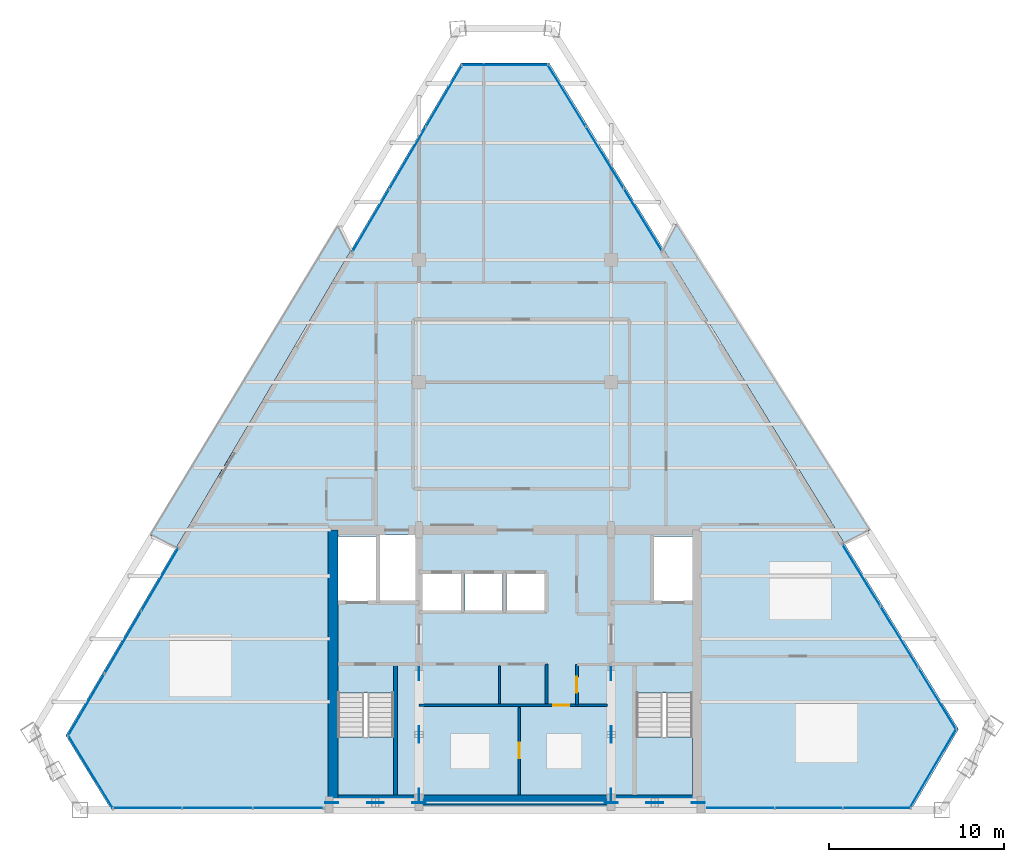
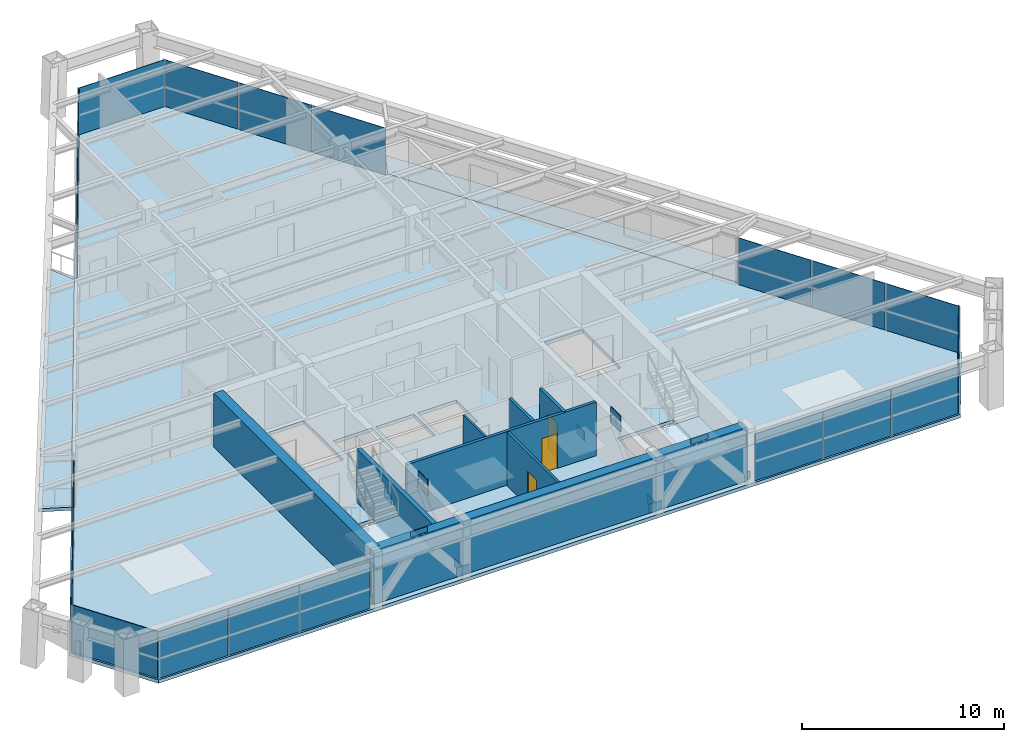
# One storey, part 8 of 13: 33 plates, 8 walls, 5 slabs, 3 doors, 3 openings, 11 elements without a shape of their own.
"""IFC4 building model written with IfcOpenShell, lengths in metres."""

from ifc_helpers import new_model, si_unit, direction, frame, frame_2d, origin, origin_2d, place, context, subcontext, project, spatial, polyline, rectangle, outline, extrude, source, transform, mapped, material, layer, layer_set, type_object, type_shapes, element, fill, aggregate, save


model = new_model("IFC4")

# Units and contexts
model_context = context("Model", 3, precision=1e-05, world=origin(), true_north=direction((0.0, 1.0)))
body_context = subcontext(model_context, "Body", "Model", "MODEL_VIEW")
ifc_project = project(units=[si_unit("LENGTHUNIT", "METRE"), si_unit("AREAUNIT", "SQUARE_METRE"), si_unit("VOLUMEUNIT", "CUBIC_METRE"), si_unit("PLANEANGLEUNIT", "RADIAN"), si_unit("MASSUNIT", "GRAM", prefix="KILO")], contexts=[model_context])

# Site, building, storey
site_placement = place(None, origin())
site = spatial("IfcSite", under=ifc_project, at=site_placement, CompositionType="ELEMENT")
building_placement = place(site_placement, origin())
building = spatial("IfcBuilding", under=site, at=building_placement, Name="Varnakhor Terracotta Tower", CompositionType="ELEMENT")
storey_placement = place(building_placement, frame((0.0, 0.0, 244.14990234375)))
storey = spatial("IfcBuildingStorey", under=building, at=storey_placement, Name="L63", CompositionType="ELEMENT", Elevation=244.14990234375)

# Slab
ifc_material_1 = material(Name="Concrete C40/50", Category="concrete")
ifc_layer_1 = layer(ifc_material_1, 0.2099609375, Name="Concrete C40/50")
ifc_layer_set_1 = layer_set([ifc_layer_1], Name="Concrete C40/50")
slab_type_1 = type_object("IfcSlabType", Name="SLB-HTL-210", PredefinedType="FLOOR", material=ifc_layer_set_1)
slab_1_placement = place(storey_placement, frame((0.0, 0.0, -0.2099609375)))
element("IfcSlab", 1, at=slab_1_placement, inside=storey, type_object=slab_type_1, Name="L63 Structural Floor Slab", PredefinedType="FLOOR", context=body_context, shape_type="SweptSolid", body=[
    extrude(outline(polyline([(-25.7265625, 4.2646484375), (-3.0908203125, 42.77099609375), (1.9501953125, 42.77099609375), (25.390869140625, 4.625732421875), (22.671630859375, 0.0), (-23.105712890625, 0.0), (-25.7265625, 4.2646484375)]), holes=[polyline([(-6.949951171875, 0.85009765625), (-6.949951171875, 6.695068359375), (-10.14990234375, 6.695068359375), (-10.14990234375, 0.85009765625), (-6.949951171875, 0.85009765625)]), polyline([(10.14990234375, 0.85009765625), (10.14990234375, 6.695068359375), (6.949951171875, 6.695068359375), (6.949951171875, 0.85009765625), (10.14990234375, 0.85009765625)]), polyline([(-3.10009765625, 11.419921875), (-3.10009765625, 13.52001953125), (-5.300048828125, 13.52001953125), (-5.300048828125, 11.419921875), (-3.10009765625, 11.419921875)]), polyline([(-0.719970703125, 11.419921875), (-0.719970703125, 13.52001953125), (-2.8798828125, 13.52001953125), (-2.8798828125, 11.419921875), (-0.719970703125, 11.419921875)]), polyline([(1.699951171875, 11.419921875), (1.699951171875, 13.52001953125), (-0.5, 13.52001953125), (-0.5, 11.419921875), (1.699951171875, 11.419921875)]), polyline([(-7.949951171875, 11.8798828125), (-7.949951171875, 15.64990234375), (-10.14990234375, 15.64990234375), (-10.14990234375, 11.8798828125), (-7.949951171875, 11.8798828125)]), polyline([(10.14990234375, 11.8798828125), (10.14990234375, 15.64990234375), (7.949951171875, 15.64990234375), (7.949951171875, 11.8798828125), (10.14990234375, 11.8798828125)]), polyline([(-5.699951171875, 11.8798828125), (-5.699951171875, 15.75), (-7.72998046875, 15.75), (-7.72998046875, 11.8798828125), (-5.699951171875, 11.8798828125)])]), origin(), (0.0, 0.0, 1.0), 0.2099609375),
])

# Stair, slab
stair_type = type_object("IfcStairType", Name="STR-CORE-HOTEL-1500", PredefinedType="HALF_TURN_STAIR", material=ifc_material_1)
stair_1_placement = place(storey_placement, origin())
stair_1 = element("IfcStair", 2, at=stair_1_placement, inside=storey, type_object=stair_type, Name="L63 Core Exit Stair ST-1", PredefinedType="HALF_TURN_STAIR")
ifc_layer_2 = layer(ifc_material_1, 0.179931640625, Name="Concrete C40/50")
ifc_layer_set_2 = layer_set([ifc_layer_2], Name="Concrete C40/50")
slab_type_2 = type_object("IfcSlabType", Name="SLB-LANDING-180", PredefinedType="LANDING", material=ifc_layer_set_2)
slab_2_placement = place(storey_placement, frame((0.0, 0.0, 1.525146484375)))
slab_2 = element("IfcSlab", 3, at=slab_2_placement, type_object=slab_type_2, Name="ST-1 landing 1", PredefinedType="LANDING", context=body_context, shape_type="SweptSolid", body=[
    extrude(outline(polyline([(-10.14990234375, 4.18994140625), (-10.14990234375, 0.85009765625), (-6.949951171875, 0.85009765625), (-6.949951171875, 4.18994140625), (-10.14990234375, 4.18994140625)])), origin(), (0.0, 0.0, 1.0), 0.199951171875),
])
aggregate(stair_1, [slab_2])

stair_2_placement = place(storey_placement, origin())
stair_2 = element("IfcStair", 4, at=stair_2_placement, inside=storey, type_object=stair_type, Name="L63 Core Exit Stair ST-2", PredefinedType="HALF_TURN_STAIR")
slab_3_placement = place(storey_placement, frame((0.0, 0.0, 1.525146484375)))
slab_3 = element("IfcSlab", 5, at=slab_3_placement, type_object=slab_type_2, Name="ST-2 landing 1", PredefinedType="LANDING", context=body_context, shape_type="SweptSolid", body=[
    extrude(outline(polyline([(6.949951171875, 4.18994140625), (6.949951171875, 0.85009765625), (10.14990234375, 0.85009765625), (10.14990234375, 4.18994140625), (6.949951171875, 4.18994140625)])), origin(), (0.0, 0.0, 1.0), 0.199951171875),
])
aggregate(stair_2, [slab_3])

# Slabs
ifc_layer_3 = layer(ifc_material_1, 0.195068359375, Name="Concrete C40/50")
ifc_layer_set_3 = layer_set([ifc_layer_3], Name="Concrete C40/50")
slab_type_3 = type_object("IfcSlabType", Name="SLB-LOGGIA-EXT-195", PredefinedType="FLOOR", material=ifc_layer_set_3)
slab_4_placement = place(storey_placement, frame((0.0, 0.0, -0.19482421875)))
element("IfcSlab", 6, at=slab_4_placement, inside=storey, type_object=slab_type_3, Name="L63 E Recessed Outdoor Loggia Slab", PredefinedType="FLOOR", context=body_context, shape_type="SweptSolid", body=[
    extrude(outline(polyline([(9.21044921875, 33.5595703125), (20.310546875, 16.007080078125), (18.827392578125, 15.306396484375), (12.61279296875, 25.419921875), (8.513671875, 32.09033203125), (9.21044921875, 33.5595703125)])), origin(), (0.0, 0.0, 1.0), 0.19482421875),
])
slab_5_placement = place(storey_placement, frame((0.0, 0.0, -0.19482421875)))
element("IfcSlab", 7, at=slab_5_placement, inside=storey, type_object=slab_type_3, Name="L63 W Recessed Outdoor Loggia Slab", PredefinedType="FLOOR", context=body_context, shape_type="SweptSolid", body=[
    extrude(outline(polyline([(-20.883544921875, 15.7353515625), (-10.130126953125, 33.45361328125), (-9.4287109375, 31.9892578125), (-19.388427734375, 15.04638671875), (-20.883544921875, 15.7353515625)])), origin(), (0.0, 0.0, 1.0), 0.19482421875),
])

# Plates
ifc_material_2 = material(Name="Steel S460", Category="steel")
ifc_layer_4 = layer(ifc_material_2, 0.050048828125, Name="Steel S460")
ifc_layer_set_4 = layer_set([ifc_layer_4], Name="Steel S460")
plate_type_1 = type_object("IfcPlateType", Name="PLT-GUSSET-50", PredefinedType="USERDEFINED", material=ifc_layer_set_4)
shared_shape_1 = source(origin(), body_context, "Body", "SweptSolid", [
    extrude(rectangle(XDim=0.75, YDim=0.0400390625, at=origin_2d()), origin(), (0.0, 0.0, 1.0), 0.550048828125),
])
type_shapes(plate_type_1, [shared_shape_1])
for number, where, z_axis, x_axis, name in (
    (8, (-10.5, 0.419921875, -0.0947265625), (0.0, 0.0, 1.0), (1.0, 0.0, 0.0), "L63 Core Brace Embed Plate CSWA"),
    (9, (-5.5, 0.419921875, -0.0947265625), (0.0, 0.0, 1.0), (1.0, 0.0, 0.0), "L63 Core Brace Embed Plate CSWB"),
    (10, (5.5, 0.419921875, -0.0947265625), (0.0, 0.0, 1.0), (1.0, 0.0, 0.0), "L63 Core Brace Embed Plate CSEA"),
    (11, (10.5, 0.419921875, -0.0947265625), (0.0, 0.0, 1.0), (1.0, 0.0, 0.0), "L63 Core Brace Embed Plate CSEB"),
    (12, (-5.5, 0.85009765625, -0.0947265625), (0.0, 0.0, 1.0), (0.0, 1.0, 0.0), "L63 Core Brace Embed Plate CWWA"),
    (13, (-5.5, 7.800048828125, -0.0947265625), (0.0, 0.0, 1.0), (0.0, 1.0, 0.0), "L63 Core Brace Embed Plate CWWB"),
    (14, (5.5, 0.85009765625, -0.0947265625), (0.0, 0.0, 1.0), (0.0, 1.0, 0.0), "L63 Core Brace Embed Plate CWEA"),
    (15, (5.5, 7.800048828125, -0.0947265625), (0.0, 0.0, 1.0), (0.0, 1.0, 0.0), "L63 Core Brace Embed Plate CWEB"),
):
    element("IfcPlate", number, at=place(storey_placement, frame(where, z_axis=z_axis, x_axis=x_axis)), inside=storey, type_object=plate_type_1, Name=name, ObjectType="GUSSET PLATE", PredefinedType="USERDEFINED", context=body_context, shape_type="MappedRepresentation", body=[
        mapped(shared_shape_1, transform((0.0, 0.0, 0.0), scale=1.0)),
    ])
shared_shape_2 = source(origin(), body_context, "Body", "SweptSolid", [
    extrude(rectangle(XDim=0.949951171875, YDim=0.044921875, at=origin_2d()), origin(), (0.0, 0.0, 1.0), 0.949951171875),
])
for number, where, z_axis, x_axis, name in (
    (16, (-8.0, 0.419921875, 2.615234375), (0.0, 0.0, 1.0), (1.0, 0.0, 0.0), "L63 Core Brace Apex Gusset CSW"),
    (17, (8.0, 0.419921875, 2.615234375), (0.0, 0.0, 1.0), (1.0, 0.0, 0.0), "L63 Core Brace Apex Gusset CSE"),
    (18, (-5.5, 4.324951171875, 2.615234375), (0.0, 0.0, 1.0), (0.0, 1.0, 0.0), "L63 Core Brace Apex Gusset CWW"),
    (19, (5.5, 4.324951171875, 2.615234375), (0.0, 0.0, 1.0), (0.0, 1.0, 0.0), "L63 Core Brace Apex Gusset CWE"),
):
    element("IfcPlate", number, at=place(storey_placement, frame(where, z_axis=z_axis, x_axis=x_axis)), inside=storey, type_object=plate_type_1, Name=name, ObjectType="GUSSET PLATE", PredefinedType="USERDEFINED", context=body_context, shape_type="MappedRepresentation", body=[
        mapped(shared_shape_2, transform((0.0, 0.0, 0.0), scale=1.0)),
    ])

# Curtain wall, plates
ifc_material_3 = material(Name="Anodised Aluminium Curtain Wall System", Category="aluminium")
curtain_wall_type = type_object("IfcCurtainWallType", Name="CW-SYS-HOTEL-LOGGIA", PredefinedType="NOTDEFINED", material=ifc_material_3)
curtain_wall_1_placement = place(storey_placement, origin())
curtain_wall_1 = element("IfcCurtainWall", 20, at=curtain_wall_1_placement, inside=storey, type_object=curtain_wall_type, Name="L63 South Wing Curtain Wall SSW", PredefinedType="NOTDEFINED")
ifc_material_4 = material(Name="Solar-Control Low-E Insulated Glass Panel", Category="glass")
ifc_layer_5 = layer(ifc_material_4, 0.033935546875, Name="Solar-Control Low-E Insulated Glass Panel")
ifc_layer_set_5 = layer_set([ifc_layer_5], Name="Solar-Control Low-E Insulated Glass Panel")
plate_type_2 = type_object("IfcPlateType", Name="CWP-04", PredefinedType="CURTAIN_PANEL", material=ifc_layer_set_5)
shared_shape_3 = source(origin(), body_context, "Body", "SweptSolid", [
    extrude(rectangle(XDim=4.001953125, YDim=0.035888671875, at=origin_2d()), origin(), (0.0, 0.0, 1.0), 2.820068359375),
])
plate_1_placement = place(storey_placement, frame((-12.990966796875, 0.1201171875, 0.0), z_axis=(0.0, 0.0, 1.0), x_axis=(-1.0, 0.0, 0.0)))
plate_1 = element("IfcPlate", 21, at=plate_1_placement, type_object=plate_type_2, Name="L63 South Wing Curtain Wall SSW Glazed Panel 1", PredefinedType="CURTAIN_PANEL", context=body_context, shape_type="MappedRepresentation", body=[
    mapped(shared_shape_3, transform((0.0, 0.0, 0.0), scale=1.0)),
])
plate_2_placement = place(storey_placement, frame((-17.032958984375, 0.1201171875, 0.0), z_axis=(0.0, 0.0, 1.0), x_axis=(-1.0, 0.0, 0.0)))
plate_2 = element("IfcPlate", 22, at=plate_2_placement, type_object=plate_type_2, Name="L63 South Wing Curtain Wall SSW Glazed Panel 2", PredefinedType="CURTAIN_PANEL", context=body_context, shape_type="MappedRepresentation", body=[
    mapped(shared_shape_3, transform((0.0, 0.0, 0.0), scale=1.0)),
])
plate_3_placement = place(storey_placement, frame((-21.07470703125, 0.1201171875, 0.0), z_axis=(0.0, 0.0, 1.0), x_axis=(-1.0, 0.0, 0.0)))
plate_3 = element("IfcPlate", 23, at=plate_3_placement, type_object=plate_type_2, Name="L63 South Wing Curtain Wall SSW Glazed Panel 3", PredefinedType="CURTAIN_PANEL", context=body_context, shape_type="MappedRepresentation", body=[
    mapped(shared_shape_3, transform((0.0, 0.0, 0.0), scale=1.0)),
])
aggregate(curtain_wall_1, [plate_1, plate_2, plate_3])

curtain_wall_2_placement = place(storey_placement, origin())
curtain_wall_2 = element("IfcCurtainWall", 24, at=curtain_wall_2_placement, inside=storey, type_object=curtain_wall_type, Name="L63 W Facet Curtain Wall 1", PredefinedType="NOTDEFINED")
shared_shape_4 = source(origin(), body_context, "Body", "SweptSolid", [
    extrude(rectangle(XDim=4.10888671875, YDim=0.035888671875, at=origin_2d()), origin(), (0.0, 0.0, 1.0), 2.820068359375),
])
plate_4_placement = place(storey_placement, frame((-24.556640625, 6.01806640625, 0.0), z_axis=(0.0, 0.0, 1.0), x_axis=(0.506771210443, 0.862080588034, 0.0)))
plate_4 = element("IfcPlate", 25, at=plate_4_placement, type_object=plate_type_2, Name="L63 W Facet Curtain Wall 1 Glazed Panel 1", PredefinedType="CURTAIN_PANEL", context=body_context, shape_type="MappedRepresentation", body=[
    mapped(shared_shape_4, transform((0.0, 0.0, 0.0), scale=1.0)),
])
plate_5_placement = place(storey_placement, frame((-22.4541015625, 9.5947265625, 0.0), z_axis=(0.0, 0.0, 1.0), x_axis=(0.506771210443, 0.862080588034, 0.0)))
plate_5 = element("IfcPlate", 26, at=plate_5_placement, type_object=plate_type_2, Name="L63 W Facet Curtain Wall 1 Glazed Panel 2", PredefinedType="CURTAIN_PANEL", context=body_context, shape_type="MappedRepresentation", body=[
    mapped(shared_shape_4, transform((0.0, 0.0, 0.0), scale=1.0)),
])
plate_6_placement = place(storey_placement, frame((-20.3515625, 13.17138671875, 0.0), z_axis=(0.0, 0.0, 1.0), x_axis=(0.506771210443, 0.862080588034, 0.0)))
plate_6 = element("IfcPlate", 27, at=plate_6_placement, type_object=plate_type_2, Name="L63 W Facet Curtain Wall 1 Glazed Panel 3", PredefinedType="CURTAIN_PANEL", context=body_context, shape_type="MappedRepresentation", body=[
    mapped(shared_shape_4, transform((0.0, 0.0, 0.0), scale=1.0)),
])
aggregate(curtain_wall_2, [plate_4, plate_5, plate_6])

curtain_wall_3_placement = place(storey_placement, origin())
curtain_wall_3 = element("IfcCurtainWall", 28, at=curtain_wall_3_placement, inside=storey, type_object=curtain_wall_type, Name="L63 W Facet Curtain Wall 2", PredefinedType="NOTDEFINED")
plate_7_placement = place(storey_placement, frame((-8.2587890625, 33.74267578125, 0.0), z_axis=(0.0, 0.0, 1.0), x_axis=(0.506771210443, 0.862080588034, 0.0)))
plate_7 = element("IfcPlate", 29, at=plate_7_placement, type_object=plate_type_2, Name="L63 W Facet Curtain Wall 2 Glazed Panel 1", PredefinedType="CURTAIN_PANEL", context=body_context, shape_type="MappedRepresentation", body=[
    mapped(shared_shape_4, transform((0.0, 0.0, 0.0), scale=1.0)),
])
plate_8_placement = place(storey_placement, frame((-6.15625, 37.3193359375, 0.0), z_axis=(0.0, 0.0, 1.0), x_axis=(0.506771210443, 0.862080588034, 0.0)))
plate_8 = element("IfcPlate", 30, at=plate_8_placement, type_object=plate_type_2, Name="L63 W Facet Curtain Wall 2 Glazed Panel 2", PredefinedType="CURTAIN_PANEL", context=body_context, shape_type="MappedRepresentation", body=[
    mapped(shared_shape_4, transform((0.0, 0.0, 0.0), scale=1.0)),
])
plate_9_placement = place(storey_placement, frame((-4.0537109375, 40.89599609375, 0.0), z_axis=(0.0, 0.0, 1.0), x_axis=(0.506771210443, 0.862080588034, 0.0)))
plate_9 = element("IfcPlate", 31, at=plate_9_placement, type_object=plate_type_2, Name="L63 W Facet Curtain Wall 2 Glazed Panel 3", PredefinedType="CURTAIN_PANEL", context=body_context, shape_type="MappedRepresentation", body=[
    mapped(shared_shape_4, transform((0.0, 0.0, 0.0), scale=1.0)),
])
aggregate(curtain_wall_3, [plate_7, plate_8, plate_9])

# Curtain wall, plate
curtain_wall_4_placement = place(storey_placement, origin())
curtain_wall_4 = element("IfcCurtainWall", 32, at=curtain_wall_4_placement, inside=storey, type_object=curtain_wall_type, Name="L63 Facet Curtain Wall 2", PredefinedType="NOTDEFINED")
shared_shape_5 = source(origin(), body_context, "Body", "SweptSolid", [
    extrude(rectangle(XDim=4.94091796875, YDim=0.035888671875, at=origin_2d()), origin(), (0.0, 0.0, 1.0), 2.820068359375),
])
plate_10_placement = place(storey_placement, frame((-0.5703125, 42.651123046875, 0.0), z_axis=(0.0, 0.0, 1.0), x_axis=(1.0, 0.0, 0.0)))
plate_10 = element("IfcPlate", 33, at=plate_10_placement, type_object=plate_type_2, Name="L63 Facet Curtain Wall 2 Glazed Panel 1", PredefinedType="CURTAIN_PANEL", context=body_context, shape_type="MappedRepresentation", body=[
    mapped(shared_shape_5, transform((0.0, 0.0, 0.0), scale=1.0)),
])
aggregate(curtain_wall_4, [plate_10])

# Curtain wall, plates
curtain_wall_5_placement = place(storey_placement, origin())
curtain_wall_5 = element("IfcCurtainWall", 34, at=curtain_wall_5_placement, inside=storey, type_object=curtain_wall_type, Name="L63 E Facet Curtain Wall 1", PredefinedType="NOTDEFINED")
shared_shape_6 = source(origin(), body_context, "Body", "SweptSolid", [
    extrude(rectangle(XDim=4.11865234375, YDim=0.035888671875, at=origin_2d()), origin(), (0.0, 0.0, 1.0), 2.820068359375),
])
plate_11_placement = place(storey_placement, frame((2.952392578125, 40.9111328125, 0.0), z_axis=(0.0, 0.0, 1.0), x_axis=(0.52355474113, -0.851992038132, 0.0)))
plate_11 = element("IfcPlate", 35, at=plate_11_placement, type_object=plate_type_2, Name="L63 E Facet Curtain Wall 1 Glazed Panel 1", PredefinedType="CURTAIN_PANEL", context=body_context, shape_type="MappedRepresentation", body=[
    mapped(shared_shape_6, transform((0.0, 0.0, 0.0), scale=1.0)),
])
plate_12_placement = place(storey_placement, frame((5.129638671875, 37.367919921875, 0.0), z_axis=(0.0, 0.0, 1.0), x_axis=(0.52355474113, -0.851992038132, 0.0)))
plate_12 = element("IfcPlate", 36, at=plate_12_placement, type_object=plate_type_2, Name="L63 E Facet Curtain Wall 1 Glazed Panel 2", PredefinedType="CURTAIN_PANEL", context=body_context, shape_type="MappedRepresentation", body=[
    mapped(shared_shape_6, transform((0.0, 0.0, 0.0), scale=1.0)),
])
plate_13_placement = place(storey_placement, frame((7.30712890625, 33.82470703125, 0.0), z_axis=(0.0, 0.0, 1.0), x_axis=(0.52355474113, -0.851992038132, 0.0)))
plate_13 = element("IfcPlate", 37, at=plate_13_placement, type_object=plate_type_2, Name="L63 E Facet Curtain Wall 1 Glazed Panel 3", PredefinedType="CURTAIN_PANEL", context=body_context, shape_type="MappedRepresentation", body=[
    mapped(shared_shape_6, transform((0.0, 0.0, 0.0), scale=1.0)),
])
aggregate(curtain_wall_5, [plate_11, plate_12, plate_13])

curtain_wall_6_placement = place(storey_placement, origin())
curtain_wall_6 = element("IfcCurtainWall", 38, at=curtain_wall_6_placement, inside=storey, type_object=curtain_wall_type, Name="L63 E Facet Curtain Wall 2", PredefinedType="NOTDEFINED")
plate_14_placement = place(storey_placement, frame((19.82958984375, 13.446533203125, 0.0), z_axis=(0.0, 0.0, 1.0), x_axis=(0.52355474113, -0.851992038132, 0.0)))
plate_14 = element("IfcPlate", 39, at=plate_14_placement, type_object=plate_type_2, Name="L63 E Facet Curtain Wall 2 Glazed Panel 1", PredefinedType="CURTAIN_PANEL", context=body_context, shape_type="MappedRepresentation", body=[
    mapped(shared_shape_6, transform((0.0, 0.0, 0.0), scale=1.0)),
])
plate_15_placement = place(storey_placement, frame((22.0068359375, 9.9033203125, 0.0), z_axis=(0.0, 0.0, 1.0), x_axis=(0.52355474113, -0.851992038132, 0.0)))
plate_15 = element("IfcPlate", 40, at=plate_15_placement, type_object=plate_type_2, Name="L63 E Facet Curtain Wall 2 Glazed Panel 2", PredefinedType="CURTAIN_PANEL", context=body_context, shape_type="MappedRepresentation", body=[
    mapped(shared_shape_6, transform((0.0, 0.0, 0.0), scale=1.0)),
])
shared_shape_7 = source(origin(), body_context, "Body", "SweptSolid", [
    extrude(rectangle(XDim=4.118896484375, YDim=0.035888671875, at=origin_2d()), origin(), (0.0, 0.0, 1.0), 2.820068359375),
])
plate_16_placement = place(storey_placement, frame((24.184326171875, 6.360107421875, 0.0), z_axis=(0.0, 0.0, 1.0), x_axis=(0.52355474113, -0.851992038132, 0.0)))
plate_16 = element("IfcPlate", 41, at=plate_16_placement, type_object=plate_type_2, Name="L63 E Facet Curtain Wall 2 Glazed Panel 3", PredefinedType="CURTAIN_PANEL", context=body_context, shape_type="MappedRepresentation", body=[
    mapped(shared_shape_7, transform((0.0, 0.0, 0.0), scale=1.0)),
])
aggregate(curtain_wall_6, [plate_14, plate_15, plate_16])

# Curtain wall, plate
curtain_wall_7_placement = place(storey_placement, origin())
curtain_wall_7 = element("IfcCurtainWall", 42, at=curtain_wall_7_placement, inside=storey, type_object=curtain_wall_type, Name="L63 Facet Curtain Wall 4", PredefinedType="NOTDEFINED")
shared_shape_8 = source(origin(), body_context, "Body", "SweptSolid", [
    extrude(rectangle(XDim=5.265869140625, YDim=0.035888671875, at=origin_2d()), origin(), (0.0, 0.0, 1.0), 2.820068359375),
])
plate_17_placement = place(storey_placement, frame((23.927734375, 2.373779296875, 0.0), z_axis=(0.0, 0.0, 1.0), x_axis=(-0.506771210443, -0.862080588034, 0.0)))
plate_17 = element("IfcPlate", 43, at=plate_17_placement, type_object=plate_type_2, Name="L63 Facet Curtain Wall 4 Glazed Panel 1", PredefinedType="CURTAIN_PANEL", context=body_context, shape_type="MappedRepresentation", body=[
    mapped(shared_shape_8, transform((0.0, 0.0, 0.0), scale=1.0)),
])
aggregate(curtain_wall_7, [plate_17])

# Curtain wall, plates
curtain_wall_8_placement = place(storey_placement, origin())
curtain_wall_8 = element("IfcCurtainWall", 44, at=curtain_wall_8_placement, inside=storey, type_object=curtain_wall_type, Name="L63 South Wing Curtain Wall SSE", PredefinedType="NOTDEFINED")
shared_shape_9 = source(origin(), body_context, "Body", "SweptSolid", [
    extrude(rectangle(XDim=3.857177734375, YDim=0.035888671875, at=origin_2d()), origin(), (0.0, 0.0, 1.0), 2.820068359375),
])
plate_18_placement = place(storey_placement, frame((20.712890625, 0.1201171875, 0.0), z_axis=(0.0, 0.0, 1.0), x_axis=(-1.0, 0.0, 0.0)))
plate_18 = element("IfcPlate", 45, at=plate_18_placement, type_object=plate_type_2, Name="L63 South Wing Curtain Wall SSE Glazed Panel 1", PredefinedType="CURTAIN_PANEL", context=body_context, shape_type="MappedRepresentation", body=[
    mapped(shared_shape_9, transform((0.0, 0.0, 0.0), scale=1.0)),
])
plate_19_placement = place(storey_placement, frame((16.81591796875, 0.1201171875, 0.0), z_axis=(0.0, 0.0, 1.0), x_axis=(-1.0, 0.0, 0.0)))
plate_19 = element("IfcPlate", 46, at=plate_19_placement, type_object=plate_type_2, Name="L63 South Wing Curtain Wall SSE Glazed Panel 2", PredefinedType="CURTAIN_PANEL", context=body_context, shape_type="MappedRepresentation", body=[
    mapped(shared_shape_9, transform((0.0, 0.0, 0.0), scale=1.0)),
])
plate_20_placement = place(storey_placement, frame((12.918701171875, 0.1201171875, 0.0), z_axis=(0.0, 0.0, 1.0), x_axis=(-1.0, 0.0, 0.0)))
plate_20 = element("IfcPlate", 47, at=plate_20_placement, type_object=plate_type_2, Name="L63 South Wing Curtain Wall SSE Glazed Panel 3", PredefinedType="CURTAIN_PANEL", context=body_context, shape_type="MappedRepresentation", body=[
    mapped(shared_shape_9, transform((0.0, 0.0, 0.0), scale=1.0)),
])
aggregate(curtain_wall_8, [plate_18, plate_19, plate_20])

# Curtain wall, plate
curtain_wall_9_placement = place(storey_placement, origin())
curtain_wall_9 = element("IfcCurtainWall", 48, at=curtain_wall_9_placement, inside=storey, type_object=curtain_wall_type, Name="L63 Facet Curtain Wall 6", PredefinedType="NOTDEFINED")
shared_shape_10 = source(origin(), body_context, "Body", "SweptSolid", [
    extrude(rectangle(XDim=4.905517578125, YDim=0.035888671875, at=origin_2d()), origin(), (0.0, 0.0, 1.0), 2.820068359375),
])
plate_21_placement = place(storey_placement, frame((-24.31396484375, 2.1953125, 0.0), z_axis=(0.0, 0.0, 1.0), x_axis=(-0.52355474113, 0.851992038132, 0.0)))
plate_21 = element("IfcPlate", 49, at=plate_21_placement, type_object=plate_type_2, Name="L63 Facet Curtain Wall 6 Glazed Panel 1", PredefinedType="CURTAIN_PANEL", context=body_context, shape_type="MappedRepresentation", body=[
    mapped(shared_shape_10, transform((0.0, 0.0, 0.0), scale=1.0)),
])
aggregate(curtain_wall_9, [plate_21])

# Walls
ifc_material_5 = material(Name="Concrete C50/60", Category="concrete")
ifc_layer_6 = layer(ifc_material_5, 0.550048828125, Name="Concrete C50/60")
ifc_layer_set_6 = layer_set([ifc_layer_6], Name="Concrete C50/60")
wall_type_1 = type_object("IfcWallType", Name="WAL-CORE-550", PredefinedType="SHEAR", material=ifc_layer_set_6)
wall_1_placement = place(storey_placement, frame((-10.64990234375, 0.574951171875, 0.0), z_axis=(0.0, 0.0, 1.0), x_axis=(1.0, 0.0, 0.0)))
element("IfcWall", 50, at=wall_1_placement, inside=storey, type_object=wall_type_1, Name="L63 South Core Shear Wall", PredefinedType="SHEAR", context=body_context, shape_type="SweptSolid", body=[
    extrude(rectangle(XDim=21.2998046875, YDim=0.550048828125, at=frame_2d((10.64990234375, 0.0))), origin(), (0.0, 0.0, 1.0), 3.239990234375),
])
wall_2_placement = place(storey_placement, frame((-10.425048828125, 0.574951171875, 0.0), z_axis=(0.0, 0.0, 1.0), x_axis=(0.0, 1.0, 0.0)))
element("IfcWall", 51, at=wall_2_placement, inside=storey, type_object=wall_type_1, Name="L63 West Core Shear Wall", PredefinedType="SHEAR", context=body_context, shape_type="SweptSolid", body=[
    extrude(rectangle(XDim=15.449951171875, YDim=0.550048828125, at=frame_2d((7.72509765625, 0.0))), origin(), (0.0, 0.0, 1.0), 3.239990234375),
])
ifc_layer_7 = layer(ifc_material_1, 0.25, Name="Concrete C40/50")
ifc_layer_set_7 = layer_set([ifc_layer_7], Name="Concrete C40/50")
wall_type_2 = type_object("IfcWallType", Name="WAL-SHAFT-250", PredefinedType="SOLIDWALL", material=ifc_layer_set_7)
wall_3_placement = place(storey_placement, frame((-6.85009765625, 0.85009765625, 0.0), z_axis=(0.0, 0.0, 1.0), x_axis=(0.0, 1.0, 0.0)))
element("IfcWall", 52, at=wall_3_placement, inside=storey, type_object=wall_type_2, Name="L63 Stair ST-1 Bearing Shaft Wall", PredefinedType="SOLIDWALL", context=body_context, shape_type="SweptSolid", body=[
    extrude(rectangle(XDim=7.5, YDim=0.25, at=frame_2d((3.75, 0.0))), origin(), (0.0, 0.0, 1.0), 3.239990234375),
])
ifc_material_6 = material(Name="Acoustic Fire-Rated Partition", Category="gypsum")
ifc_layer_8 = layer(ifc_material_6, 0.114990234375, Name="Acoustic Fire-Rated Partition")
ifc_layer_set_8 = layer_set([ifc_layer_8], Name="Acoustic Fire-Rated Partition")
wall_type_3 = type_object("IfcWallType", Name="WAL-TENANCY-115", PredefinedType="PARTITIONING", material=ifc_layer_set_8)
wall_4_placement = place(storey_placement, frame((-0.89990234375, 6.10009765625, 0.0), z_axis=(0.0, 0.0, 1.0), x_axis=(0.0, 1.0, 0.0)))
element("IfcWall", 53, at=wall_4_placement, inside=storey, type_object=wall_type_3, Name="L63 Reclaimed Mid-Core Split Wall", PredefinedType="PARTITIONING", context=body_context, shape_type="SweptSolid", body=[
    extrude(rectangle(XDim=2.14990234375, YDim=0.114990234375, at=frame_2d((1.074951171875, 0.0))), origin(), (0.0, 0.0, 1.0), 3.232177734375),
])

# Wall, opening, door
ifc_layer_9 = layer(ifc_material_6, 0.139892578125, Name="Acoustic Fire-Rated Partition")
ifc_layer_set_9 = layer_set([ifc_layer_9], Name="Acoustic Fire-Rated Partition")
wall_type_4 = type_object("IfcWallType", Name="WAL-TENANCY-140", PredefinedType="PARTITIONING", material=ifc_layer_set_9)
wall_5_placement = place(storey_placement, frame((0.25, 0.85009765625, 0.0), z_axis=(0.0, 0.0, 1.0), x_axis=(0.0, 1.0, 0.0)))
wall_5 = element("IfcWall", 54, at=wall_5_placement, inside=storey, type_object=wall_type_4, Name="L63 Reclaimed Core Bay Split Wall", PredefinedType="PARTITIONING", context=body_context, shape_type="SweptSolid", body=[
    extrude(rectangle(XDim=5.02978515625, YDim=0.139892578125, at=frame_2d((2.514892578125, 0.0))), origin(), (0.0, 0.0, 1.0), 3.232177734375),
])
opening_1_placement = place(wall_5_placement, frame((2.10009765625, 0.0, 0.0)))
opening_1 = element("IfcOpeningElement", 55, at=opening_1_placement, cuts=wall_5, Name="Opening DR-67", PredefinedType="OPENING", context=body_context, shape_type="SweptSolid", body=[
    extrude(rectangle(XDim=0.89990234375, YDim=2.10009765625, at=frame_2d((0.449951171875, 1.050048828125))), frame((0.0, 0.080078125, 0.0), z_axis=(0.0, -1.0, 0.0), x_axis=(1.0, 0.0, 0.0)), (0.0, 0.0, 1.0), 0.159912109375),
])
ifc_material_7 = material(Name="Steel Service Riser Fire Door", Category="steel")
door_type = type_object("IfcDoorType", Name="DR-RISER-900X2100", OperationType="NOTDEFINED", PredefinedType="DOOR", material=ifc_material_7)
shared_shape_11 = source(origin(), body_context, "Body", "SweptSolid", [
    extrude(rectangle(XDim=0.89990234375, YDim=2.10009765625, at=frame_2d((0.449951171875, 1.050048828125))), frame((0.0, 0.02490234375, 0.0), z_axis=(0.0, -1.0, 0.0), x_axis=(1.0, 0.0, 0.0)), (0.0, 0.0, 1.0), 0.050048828125),
])
type_shapes(door_type, [shared_shape_11])
door_1_placement = place(opening_1_placement, origin())
door_1 = element("IfcDoor", 56, at=door_1_placement, inside=storey, type_object=door_type, Name="L63 Core Inner Service Door", OperationType="SINGLE_SWING_LEFT", OverallHeight=2.10009765625, OverallWidth=0.89990234375, PredefinedType="DOOR", context=body_context, shape_type="MappedRepresentation", body=[
    mapped(shared_shape_11, transform((0.0, 0.0, 0.0), scale=1.0)),
])
fill(opening_1, door_1)

ifc_layer_10 = layer(ifc_material_6, 0.1650390625, Name="Acoustic Fire-Rated Partition")
ifc_layer_set_10 = layer_set([ifc_layer_10], Name="Acoustic Fire-Rated Partition")
wall_type_5 = type_object("IfcWallType", Name="WAL-TENANCY-165", PredefinedType="PARTITIONING", material=ifc_layer_set_10)
wall_6_placement = place(storey_placement, frame((-5.5, 6.0, 0.0), z_axis=(0.0, 0.0, 1.0), x_axis=(1.0, 0.0, 0.0)))
wall_6 = element("IfcWall", 57, at=wall_6_placement, inside=storey, type_object=wall_type_5, Name="L63 Reclaimed Core Bay North Rated Wall", PredefinedType="PARTITIONING", context=body_context, shape_type="SweptSolid", body=[
    extrude(rectangle(XDim=10.800048828125, YDim=0.1650390625, at=frame_2d((5.39990234375, 0.0))), origin(), (0.0, 0.0, 1.0), 3.232177734375),
])
opening_2_placement = place(wall_6_placement, frame((7.699951171875, 0.0, 0.0)))
opening_2 = element("IfcOpeningElement", 58, at=opening_2_placement, cuts=wall_6, Name="Opening DR-67", PredefinedType="OPENING", context=body_context, shape_type="SweptSolid", body=[
    extrude(rectangle(XDim=0.89990234375, YDim=2.10009765625, at=frame_2d((0.449951171875, 1.050048828125))), frame((0.0, 0.092529296875, 0.0), z_axis=(0.0, -1.0, 0.0), x_axis=(1.0, 0.0, 0.0)), (0.0, 0.0, 1.0), 0.18505859375),
])
door_2_placement = place(opening_2_placement, origin())
door_2 = element("IfcDoor", 59, at=door_2_placement, inside=storey, type_object=door_type, Name="L63 Core Reclaimed Suite Door", OperationType="SINGLE_SWING_RIGHT", OverallHeight=2.10009765625, OverallWidth=0.89990234375, PredefinedType="DOOR", context=body_context, shape_type="MappedRepresentation", body=[
    mapped(shared_shape_11, transform((0.0, 0.0, 0.0), scale=1.0)),
])
fill(opening_2, door_2)

wall_7_placement = place(storey_placement, frame((3.5400390625, 6.0, 0.0), z_axis=(0.0, 0.0, 1.0), x_axis=(0.0, 1.0, 0.0)))
wall_7 = element("IfcWall", 60, at=wall_7_placement, inside=storey, type_object=wall_type_5, Name="L63 Accessible WC Rated Wall", PredefinedType="PARTITIONING", context=body_context, shape_type="SweptSolid", body=[
    extrude(rectangle(XDim=2.340087890625, YDim=0.1650390625, at=frame_2d((1.169921875, 0.0))), origin(), (0.0, 0.0, 1.0), 3.232177734375),
])
opening_3_placement = place(wall_7_placement, frame((0.719970703125, 0.0, 0.0)))
opening_3 = element("IfcOpeningElement", 61, at=opening_3_placement, cuts=wall_7, Name="Opening DR-67", PredefinedType="OPENING", context=body_context, shape_type="SweptSolid", body=[
    extrude(rectangle(XDim=0.89990234375, YDim=2.10009765625, at=frame_2d((0.449951171875, 1.050048828125))), frame((0.0, 0.092529296875, 0.0), z_axis=(0.0, -1.0, 0.0), x_axis=(1.0, 0.0, 0.0)), (0.0, 0.0, 1.0), 0.18505859375),
])
door_3_placement = place(opening_3_placement, origin())
door_3 = element("IfcDoor", 62, at=door_3_placement, inside=storey, type_object=door_type, Name="L63 Accessible WC Door", OperationType="SINGLE_SWING_RIGHT", OverallHeight=2.10009765625, OverallWidth=0.89990234375, PredefinedType="DOOR", context=body_context, shape_type="MappedRepresentation", body=[
    mapped(shared_shape_11, transform((0.0, 0.0, 0.0), scale=1.0)),
])
fill(opening_3, door_3)

# Wall
wall_8_placement = place(storey_placement, frame((1.800048828125, 6.10009765625, 0.0), z_axis=(0.0, 0.0, 1.0), x_axis=(0.0, 1.0, 0.0)))
element("IfcWall", 63, at=wall_8_placement, inside=storey, type_object=wall_type_5, Name="L63 Reclaimed Mid-Core East Wall", PredefinedType="PARTITIONING", context=body_context, shape_type="SweptSolid", body=[
    extrude(rectangle(XDim=2.25, YDim=0.1650390625, at=frame_2d((1.125, 0.0))), origin(), (0.0, 0.0, 1.0), 3.232177734375),
])

save(model, "model.ifc")
